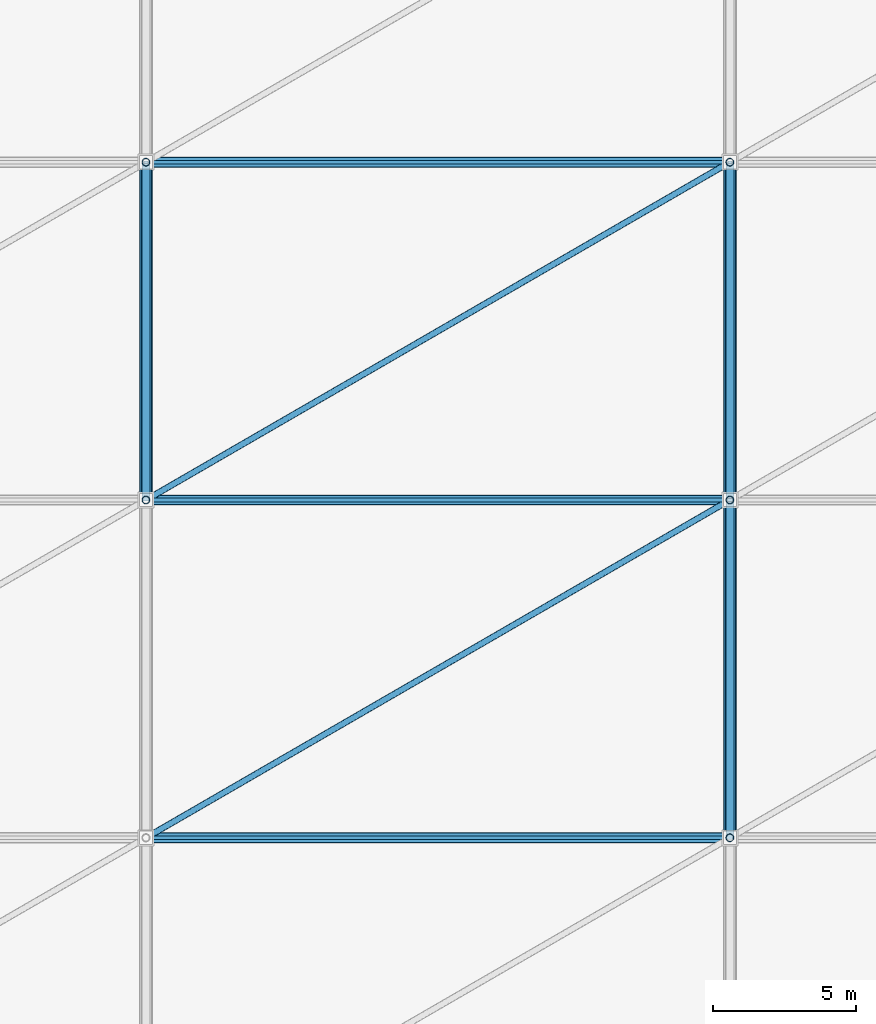
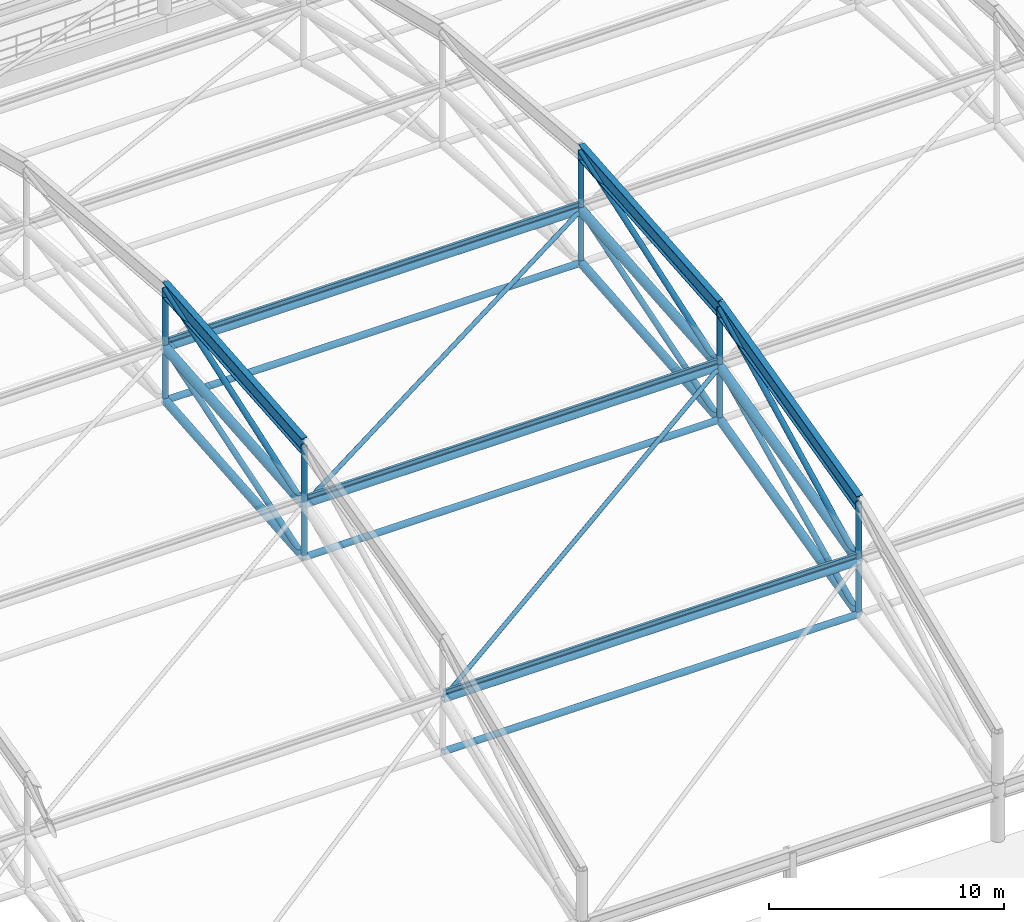
# One storey, part 19 of 135: 33 members, 3 beams.
"""IFC4 building model written with IfcOpenShell, lengths in metres."""

from ifc_helpers import new_model, si_unit, direction, frame, origin, origin_2d, place, context, subcontext, project, spatial, hollow_circle, i_section, extrude, material, material_profile, profile_set, type_object, element, save


model = new_model("IFC4")

# Units and contexts
model_context = context("Model", 3, precision=1e-05, world=origin(), true_north=direction((0.0, 1.0)))
body_context = subcontext(model_context, "Body", "Model", "MODEL_VIEW")
ifc_project = project(units=[si_unit("LENGTHUNIT", "METRE"), si_unit("AREAUNIT", "SQUARE_METRE"), si_unit("VOLUMEUNIT", "CUBIC_METRE"), si_unit("PLANEANGLEUNIT", "RADIAN"), si_unit("MASSUNIT", "GRAM", prefix="KILO")], contexts=[model_context])

# Site, building, storey
site_placement = place(None, origin())
site = spatial("IfcSite", under=ifc_project, at=site_placement, CompositionType="ELEMENT")
building_placement = place(site_placement, origin())
building = spatial("IfcBuilding", under=site, at=building_placement, Name="Brelvane Convention Centre", CompositionType="ELEMENT")
storey_placement = place(building_placement, frame((0.0, 0.0, 15.0)))
storey = spatial("IfcBuildingStorey", under=building, at=storey_placement, Name="L03", CompositionType="ELEMENT", Elevation=15.0)

# Beams
ifc_material_1 = material(Name="Steel E450 (450 MPa)", Category="steel")
ifc_material_profile_1 = material_profile(ifc_material_1, i_section(OverallWidth=0.300048828125, OverallDepth=0.800048828125, WebThickness=0.015380859375, FlangeThickness=0.030029296875, FilletRadius=0.027099609375, at=origin_2d()), Name="NPB 800x300")
ifc_profile_set_1 = profile_set([ifc_material_profile_1], Name="Steel E450 (450 MPa)")
beam_type = type_object("IfcBeamType", Name="Steel Beam B-ST2 (NPB 800x300)", PredefinedType="BEAM", material=ifc_profile_set_1)
beam_1_placement = place(storey_placement, frame((40.800048828125, 52.39990234375, 13.22216796875), z_axis=(0.0, 0.996584470208, 0.082579620615), x_axis=(-1.0, 0.0, 0.0)))
element("IfcBeam", 1, at=beam_1_placement, inside=storey, type_object=beam_type, Name="EXO_EXH Exoskeletal Arch Girder 3.3", PredefinedType="BEAM", context=body_context, shape_type="SweptSolid", body=[
    extrude(i_section(OverallWidth=0.300048828125, OverallDepth=0.800048828125, WebThickness=0.015380859375, FlangeThickness=0.030029296875, FilletRadius=0.027099609375, at=origin_2d()), origin(), (0.0, 0.0, 1.0), 11.840576171875),
])
beam_2_placement = place(storey_placement, frame((61.199951171875, 40.60009765625, 10.288818359375), z_axis=(0.0, 0.970462914592, 0.241250350054), x_axis=(-1.0, 0.0, 0.0)))
element("IfcBeam", 2, at=beam_2_placement, inside=storey, type_object=beam_type, Name="EXO_EXH Exoskeletal Arch Girder 4.2", PredefinedType="BEAM", context=body_context, shape_type="SweptSolid", body=[
    extrude(i_section(OverallWidth=0.300048828125, OverallDepth=0.800048828125, WebThickness=0.015380859375, FlangeThickness=0.030029296875, FilletRadius=0.027099609375, at=origin_2d()), origin(), (0.0, 0.0, 1.0), 12.158935546875),
])
beam_3_placement = place(storey_placement, frame((61.199951171875, 52.39990234375, 13.22216796875), z_axis=(0.0, 0.996584470208, 0.082579620615), x_axis=(-1.0, 0.0, 0.0)))
element("IfcBeam", 3, at=beam_3_placement, inside=storey, type_object=beam_type, Name="EXO_EXH Exoskeletal Arch Girder 4.3", PredefinedType="BEAM", context=body_context, shape_type="SweptSolid", body=[
    extrude(i_section(OverallWidth=0.300048828125, OverallDepth=0.800048828125, WebThickness=0.015380859375, FlangeThickness=0.030029296875, FilletRadius=0.027099609375, at=origin_2d()), origin(), (0.0, 0.0, 1.0), 11.840576171875),
])

# Members
ifc_material_2 = material(Name="Steel E350 (350 MPa)", Category="steel")
ifc_material_profile_2 = material_profile(ifc_material_2, hollow_circle(Radius=0.136474609375, WallThickness=0.012451171875, at=origin_2d()), Name="CHS 273.0x12.5")
ifc_profile_set_2 = profile_set([ifc_material_profile_2], Name="Steel E350 (350 MPa)")
member_type_1 = type_object("IfcMemberType", Name="Steel Brace SF-DG1 (CHS 273.0x12.5)", PredefinedType="BRACE", material=ifc_profile_set_2)
member_1_placement = place(storey_placement, frame((40.800048828125, 52.39990234375, 7.422119140625), z_axis=(0.0, 0.953781085444, 0.30050231455), x_axis=(-1.0, 0.0, 0.0)))
element("IfcMember", 4, at=member_1_placement, inside=storey, type_object=member_type_1, Name="SF_EXH Space-Frame Web Diagonal D3.3", PredefinedType="BRACE", context=body_context, shape_type="SweptSolid", body=[
    extrude(hollow_circle(Radius=0.136474609375, WallThickness=0.012451171875, at=origin_2d()), origin(), (0.0, 0.0, 1.0), 12.371826171875),
])
member_2_placement = place(storey_placement, frame((61.199951171875, 40.60009765625, 4.489013671875), z_axis=(0.0, 0.901249063661, 0.433301425397), x_axis=(-1.0, 0.0, 0.0)))
element("IfcMember", 5, at=member_2_placement, inside=storey, type_object=member_type_1, Name="SF_EXH Space-Frame Web Diagonal D4.2", PredefinedType="BRACE", context=body_context, shape_type="SweptSolid", body=[
    extrude(hollow_circle(Radius=0.136474609375, WallThickness=0.012451171875, at=origin_2d()), origin(), (0.0, 0.0, 1.0), 13.0927734375),
])
member_3_placement = place(storey_placement, frame((61.199951171875, 52.39990234375, 7.422119140625), z_axis=(0.0, 0.953781085444, 0.30050231455), x_axis=(-1.0, 0.0, 0.0)))
element("IfcMember", 6, at=member_3_placement, inside=storey, type_object=member_type_1, Name="SF_EXH Space-Frame Web Diagonal D4.3", PredefinedType="BRACE", context=body_context, shape_type="SweptSolid", body=[
    extrude(hollow_circle(Radius=0.136474609375, WallThickness=0.012451171875, at=origin_2d()), origin(), (0.0, 0.0, 1.0), 12.371826171875),
])
member_4_placement = place(storey_placement, frame((40.800048828125, 52.39990234375, 10.162109375), z_axis=(0.0, 0.946139843727, 0.323758237134), x_axis=(-1.0, 0.0, 0.0)))
element("IfcMember", 7, at=member_4_placement, inside=storey, type_object=member_type_1, Name="EXO_EXH Exoskeletal Arch Web 3.3", PredefinedType="BRACE", context=body_context, shape_type="SweptSolid", body=[
    extrude(hollow_circle(Radius=0.136474609375, WallThickness=0.012451171875, at=origin_2d()), origin(), (0.0, 0.0, 1.0), 12.4716796875),
])
member_5_placement = place(storey_placement, frame((61.199951171875, 40.60009765625, 7.22900390625), z_axis=(0.0, 0.891590690557, 0.45284218058), x_axis=(-1.0, 0.0, 0.0)))
element("IfcMember", 8, at=member_5_placement, inside=storey, type_object=member_type_1, Name="EXO_EXH Exoskeletal Arch Web 4.2", PredefinedType="BRACE", context=body_context, shape_type="SweptSolid", body=[
    extrude(hollow_circle(Radius=0.136474609375, WallThickness=0.012451171875, at=origin_2d()), origin(), (0.0, 0.0, 1.0), 13.234619140625),
])
member_6_placement = place(storey_placement, frame((61.199951171875, 52.39990234375, 10.162109375), z_axis=(0.0, 0.946139843727, 0.323758237134), x_axis=(-1.0, 0.0, 0.0)))
element("IfcMember", 9, at=member_6_placement, inside=storey, type_object=member_type_1, Name="EXO_EXH Exoskeletal Arch Web 4.3", PredefinedType="BRACE", context=body_context, shape_type="SweptSolid", body=[
    extrude(hollow_circle(Radius=0.136474609375, WallThickness=0.012451171875, at=origin_2d()), origin(), (0.0, 0.0, 1.0), 12.4716796875),
])
ifc_material_3 = material(Name="Steel E350 (350 MPa)", Category="steel")
ifc_material_profile_3 = material_profile(ifc_material_3, hollow_circle(Radius=0.109619140625, WallThickness=0.010009765625, at=origin_2d()), Name="CHS 219.1x10.0")
ifc_profile_set_3 = profile_set([ifc_material_profile_3], Name="Steel E350 (350 MPa)")
member_type_2 = type_object("IfcMemberType", Name="Steel Brace SF-DG2 (CHS 219.1x10.0)", PredefinedType="BRACE", material=ifc_profile_set_3)
member_7_placement = place(storey_placement, frame((40.800048828125, 40.60009765625, 7.22900390625), z_axis=(0.858995025138, 0.496863825785, 0.123506620934), x_axis=(-0.500697290317, 0.865622448571, 0.0)))
element("IfcMember", 10, at=member_7_placement, inside=storey, type_object=member_type_2, Name="SF_EXH Roof Diaphragm Brace PB3.2", PredefinedType="BRACE", context=body_context, shape_type="SweptSolid", body=[
    extrude(hollow_circle(Radius=0.109619140625, WallThickness=0.010009765625, at=origin_2d()), origin(), (0.0, 0.0, 1.0), 23.74853515625),
])
member_8_placement = place(storey_placement, frame((40.800048828125, 52.39990234375, 10.162109375), z_axis=(0.864873882245, 0.500274651745, 0.041454078585), x_axis=(-0.500705052683, 0.865617958581, 0.0)))
element("IfcMember", 11, at=member_8_placement, inside=storey, type_object=member_type_2, Name="SF_EXH Roof Diaphragm Brace PB3.3", PredefinedType="BRACE", context=body_context, shape_type="SweptSolid", body=[
    extrude(hollow_circle(Radius=0.109619140625, WallThickness=0.010009765625, at=origin_2d()), origin(), (0.0, 0.0, 1.0), 23.587158203125),
])
ifc_material_4 = material(Name="Steel E450 (450 MPa)", Category="steel")
ifc_material_profile_4 = material_profile(ifc_material_4, hollow_circle(Radius=0.203125, WallThickness=0.01611328125, at=origin_2d()), Name="CHS 406.4x16.0")
ifc_profile_set_4 = profile_set([ifc_material_profile_4], Name="Steel E450 (450 MPa)")
member_type_3 = type_object("IfcMemberType", Name="Steel Chord SF-BC1 (CHS 406.4x16.0)", PredefinedType="CHORD", material=ifc_profile_set_4)
member_9_placement = place(storey_placement, frame((40.800048828125, 52.39990234375, 7.422119140625), z_axis=(0.0, 0.996584470208, 0.082579620615), x_axis=(-1.0, 0.0, 0.0)))
element("IfcMember", 12, at=member_9_placement, inside=storey, type_object=member_type_3, Name="SF_EXH Space-Frame Bottom Chord B3.3", PredefinedType="CHORD", context=body_context, shape_type="SweptSolid", body=[
    extrude(hollow_circle(Radius=0.203125, WallThickness=0.01611328125, at=origin_2d()), origin(), (0.0, 0.0, 1.0), 11.840576171875),
])
member_10_placement = place(storey_placement, frame((61.199951171875, 40.60009765625, 4.489013671875), z_axis=(0.0, 0.97046761544, 0.241231439458), x_axis=(-1.0, 0.0, 0.0)))
element("IfcMember", 13, at=member_10_placement, inside=storey, type_object=member_type_3, Name="SF_EXH Space-Frame Bottom Chord B4.2", PredefinedType="CHORD", context=body_context, shape_type="SweptSolid", body=[
    extrude(hollow_circle(Radius=0.203125, WallThickness=0.01611328125, at=origin_2d()), origin(), (0.0, 0.0, 1.0), 12.158935546875),
])
member_11_placement = place(storey_placement, frame((61.199951171875, 52.39990234375, 7.422119140625), z_axis=(0.0, 0.996584470208, 0.082579620615), x_axis=(-1.0, 0.0, 0.0)))
element("IfcMember", 14, at=member_11_placement, inside=storey, type_object=member_type_3, Name="SF_EXH Space-Frame Bottom Chord B4.3", PredefinedType="CHORD", context=body_context, shape_type="SweptSolid", body=[
    extrude(hollow_circle(Radius=0.203125, WallThickness=0.01611328125, at=origin_2d()), origin(), (0.0, 0.0, 1.0), 11.840576171875),
])
ifc_material_5 = material(Name="Steel E350 (350 MPa)", Category="steel")
ifc_material_profile_5 = material_profile(ifc_material_5, hollow_circle(Radius=0.161865234375, WallThickness=0.012451171875, at=origin_2d()), Name="CHS 323.9x12.5")
ifc_profile_set_5 = profile_set([ifc_material_profile_5], Name="Steel E350 (350 MPa)")
member_type_4 = type_object("IfcMemberType", Name="Steel Chord SF-BC2 (CHS 323.9x12.5)", PredefinedType="CHORD", material=ifc_profile_set_5)
for number, where, z_axis, x_axis, name in (
    (15, (40.800048828125, 40.60009765625, 4.489013671875), (1.0, 0.0, 0.0), (0.0, 1.0, 0.0), "SF_EXH Longitudinal Bottom Chord LB3.2"),
    (16, (40.800048828125, 52.39990234375, 7.422119140625), (1.0, 0.0, 0.0), (0.0, 1.0, 0.0), "SF_EXH Longitudinal Bottom Chord LB3.3"),
    (17, (40.800048828125, 64.199951171875, 8.39990234375), (1.0, 0.0, 0.0), (0.0, 1.0, 0.0), "SF_EXH Longitudinal Bottom Chord LB3.4"),
):
    element("IfcMember", number, at=place(storey_placement, frame(where, z_axis=z_axis, x_axis=x_axis)), inside=storey, type_object=member_type_4, Name=name, PredefinedType="CHORD", context=body_context, shape_type="SweptSolid", body=[
        extrude(hollow_circle(Radius=0.161865234375, WallThickness=0.012451171875, at=origin_2d()), origin(), (0.0, 0.0, 1.0), 20.39990234375),
    ])
ifc_material_6 = material(Name="Steel E450 (450 MPa)", Category="steel")
ifc_material_profile_6 = material_profile(ifc_material_6, hollow_circle(Radius=0.228515625, WallThickness=0.02001953125, at=origin_2d()), Name="CHS 457.0x20.0")
ifc_profile_set_6 = profile_set([ifc_material_profile_6], Name="Steel E450 (450 MPa)")
member_type_5 = type_object("IfcMemberType", Name="Steel Chord SF-TC1 (CHS 457.0x20.0)", PredefinedType="CHORD", material=ifc_profile_set_6)
member_12_placement = place(storey_placement, frame((40.800048828125, 52.39990234375, 10.162109375), z_axis=(0.0, 0.996584470208, 0.082579620615), x_axis=(-1.0, 0.0, 0.0)))
element("IfcMember", 18, at=member_12_placement, inside=storey, type_object=member_type_5, Name="SF_EXH Space-Frame Top Chord T3.3", PredefinedType="CHORD", context=body_context, shape_type="SweptSolid", body=[
    extrude(hollow_circle(Radius=0.228515625, WallThickness=0.02001953125, at=origin_2d()), origin(), (0.0, 0.0, 1.0), 11.840576171875),
])
member_13_placement = place(storey_placement, frame((61.199951171875, 40.60009765625, 7.22900390625), z_axis=(0.0, 0.97046761544, 0.241231439458), x_axis=(-1.0, 0.0, 0.0)))
element("IfcMember", 19, at=member_13_placement, inside=storey, type_object=member_type_5, Name="SF_EXH Space-Frame Top Chord T4.2", PredefinedType="CHORD", context=body_context, shape_type="SweptSolid", body=[
    extrude(hollow_circle(Radius=0.228515625, WallThickness=0.02001953125, at=origin_2d()), origin(), (0.0, 0.0, 1.0), 12.158935546875),
])
member_14_placement = place(storey_placement, frame((61.199951171875, 52.39990234375, 10.162109375), z_axis=(0.0, 0.996584470208, 0.082579620615), x_axis=(-1.0, 0.0, 0.0)))
element("IfcMember", 20, at=member_14_placement, inside=storey, type_object=member_type_5, Name="SF_EXH Space-Frame Top Chord T4.3", PredefinedType="CHORD", context=body_context, shape_type="SweptSolid", body=[
    extrude(hollow_circle(Radius=0.228515625, WallThickness=0.02001953125, at=origin_2d()), origin(), (0.0, 0.0, 1.0), 11.840576171875),
])
ifc_material_7 = material(Name="Steel E450 (450 MPa)", Category="steel")
ifc_material_profile_7 = material_profile(ifc_material_7, hollow_circle(Radius=0.177734375, WallThickness=0.01611328125, at=origin_2d()), Name="CHS 355.6x16.0")
ifc_profile_set_7 = profile_set([ifc_material_profile_7], Name="Steel E450 (450 MPa)")
member_type_6 = type_object("IfcMemberType", Name="Steel Chord SF-TC2 (CHS 355.6x16.0)", PredefinedType="CHORD", material=ifc_profile_set_7)
for number, where, z_axis, x_axis, name in (
    (21, (40.800048828125, 40.60009765625, 7.22900390625), (1.0, 0.0, 0.0), (0.0, 1.0, 0.0), "SF_EXH Longitudinal Top Chord LT3.2"),
    (22, (40.800048828125, 52.39990234375, 10.162109375), (1.0, 0.0, 0.0), (0.0, 1.0, 0.0), "SF_EXH Longitudinal Top Chord LT3.3"),
    (23, (40.800048828125, 64.199951171875, 11.139892578125), (1.0, 0.0, 0.0), (0.0, 1.0, 0.0), "SF_EXH Longitudinal Top Chord LT3.4"),
):
    element("IfcMember", number, at=place(storey_placement, frame(where, z_axis=z_axis, x_axis=x_axis)), inside=storey, type_object=member_type_6, Name=name, PredefinedType="CHORD", context=body_context, shape_type="SweptSolid", body=[
        extrude(hollow_circle(Radius=0.177734375, WallThickness=0.01611328125, at=origin_2d()), origin(), (0.0, 0.0, 1.0), 20.39990234375),
    ])
ifc_material_8 = material(Name="Steel E350 (350 MPa)", Category="steel")
ifc_material_profile_8 = material_profile(ifc_material_8, i_section(OverallWidth=0.125, OverallDepth=0.25, WebThickness=0.0068359375, FlangeThickness=0.012451171875, FilletRadius=0.012939453125, at=origin_2d()), Name="ISMB 250")
ifc_profile_set_8 = profile_set([ifc_material_profile_8], Name="Steel E350 (350 MPa)")
member_type_7 = type_object("IfcMemberType", Name="Steel Purlin PR-ST1 (ISMB 250)", PredefinedType="PURLIN", material=ifc_profile_set_8)
for number, where, z_axis, x_axis, name in (
    (24, (40.800048828125, 40.60009765625, 7.56396484375), (1.0, 0.0, 0.0), (0.0, 1.0, 0.0), "SF_EXH Roof Purlin P3.2"),
    (25, (40.800048828125, 52.39990234375, 10.497314453125), (1.0, 0.0, 0.0), (0.0, 1.0, 0.0), "SF_EXH Roof Purlin P3.3"),
    (26, (40.800048828125, 64.199951171875, 11.47509765625), (1.0, 0.0, 0.0), (0.0, 1.0, 0.0), "SF_EXH Roof Purlin P3.4"),
):
    element("IfcMember", number, at=place(storey_placement, frame(where, z_axis=z_axis, x_axis=x_axis)), inside=storey, type_object=member_type_7, Name=name, PredefinedType="PURLIN", context=body_context, shape_type="SweptSolid", body=[
        extrude(i_section(OverallWidth=0.125, OverallDepth=0.25, WebThickness=0.0068359375, FlangeThickness=0.012451171875, FilletRadius=0.012939453125, at=origin_2d()), origin(), (0.0, 0.0, 1.0), 20.39990234375),
    ])
ifc_material_9 = material(Name="Steel E350 (350 MPa)", Category="steel")
ifc_material_profile_9 = material_profile(ifc_material_9, hollow_circle(Radius=0.136474609375, WallThickness=0.012451171875, at=origin_2d()), Name="CHS 273.0x12.5")
ifc_profile_set_9 = profile_set([ifc_material_profile_9], Name="Steel E350 (350 MPa)")
member_type_8 = type_object("IfcMemberType", Name="Steel Strut SF-VT1 (CHS 273.0x12.5)", PredefinedType="STRUT", material=ifc_profile_set_9)
for number, where, z_axis, x_axis, name in (
    (27, (40.800048828125, 52.39990234375, 7.422119140625), (0.0, 0.0, 1.0), (1.0, 0.0, 0.0), "SF_EXH Space-Frame Post V3.2"),
    (28, (40.800048828125, 64.199951171875, 8.39990234375), (0.0, 0.0, 1.0), (1.0, 0.0, 0.0), "SF_EXH Space-Frame Post V3.3"),
    (29, (61.199951171875, 40.60009765625, 4.489013671875), (0.0, 0.0, 1.0), (1.0, 0.0, 0.0), "SF_EXH Space-Frame Post V4.1"),
    (30, (61.199951171875, 52.39990234375, 7.422119140625), (0.0, 0.0, 1.0), (1.0, 0.0, 0.0), "SF_EXH Space-Frame Post V4.2"),
    (31, (61.199951171875, 64.199951171875, 8.39990234375), (0.0, 0.0, 1.0), (1.0, 0.0, 0.0), "SF_EXH Space-Frame Post V4.3"),
):
    element("IfcMember", number, at=place(storey_placement, frame(where, z_axis=z_axis, x_axis=x_axis)), inside=storey, type_object=member_type_8, Name=name, PredefinedType="STRUT", context=body_context, shape_type="SweptSolid", body=[
        extrude(hollow_circle(Radius=0.136474609375, WallThickness=0.012451171875, at=origin_2d()), origin(), (0.0, 0.0, 1.0), 2.739990234375),
    ])
for number, where, z_axis, x_axis, name in (
    (32, (40.800048828125, 52.39990234375, 10.162109375), (0.0, 0.0, 1.0), (1.0, 0.0, 0.0), "EXO_EXH Roof Suspension Hanger 3.2"),
    (33, (40.800048828125, 64.199951171875, 11.139892578125), (0.0, 0.0, 1.0), (1.0, 0.0, 0.0), "EXO_EXH Roof Suspension Hanger 3.3"),
):
    element("IfcMember", number, at=place(storey_placement, frame(where, z_axis=z_axis, x_axis=x_axis)), inside=storey, type_object=member_type_8, Name=name, PredefinedType="STRUT", context=body_context, shape_type="SweptSolid", body=[
        extrude(hollow_circle(Radius=0.136474609375, WallThickness=0.012451171875, at=origin_2d()), origin(), (0.0, 0.0, 1.0), 3.06005859375),
    ])
member_15_placement = place(storey_placement, frame((61.199951171875, 40.60009765625, 7.22900390625), z_axis=(0.0, 0.0, 1.0), x_axis=(1.0, 0.0, 0.0)))
element("IfcMember", 34, at=member_15_placement, inside=storey, type_object=member_type_8, Name="EXO_EXH Roof Suspension Hanger 4.1", PredefinedType="STRUT", context=body_context, shape_type="SweptSolid", body=[
    extrude(hollow_circle(Radius=0.136474609375, WallThickness=0.012451171875, at=origin_2d()), origin(), (0.0, 0.0, 1.0), 3.059814453125),
])
for number, where, z_axis, x_axis, name in (
    (35, (61.199951171875, 52.39990234375, 10.162109375), (0.0, 0.0, 1.0), (1.0, 0.0, 0.0), "EXO_EXH Roof Suspension Hanger 4.2"),
    (36, (61.199951171875, 64.199951171875, 11.139892578125), (0.0, 0.0, 1.0), (1.0, 0.0, 0.0), "EXO_EXH Roof Suspension Hanger 4.3"),
):
    element("IfcMember", number, at=place(storey_placement, frame(where, z_axis=z_axis, x_axis=x_axis)), inside=storey, type_object=member_type_8, Name=name, PredefinedType="STRUT", context=body_context, shape_type="SweptSolid", body=[
        extrude(hollow_circle(Radius=0.136474609375, WallThickness=0.012451171875, at=origin_2d()), origin(), (0.0, 0.0, 1.0), 3.06005859375),
    ])

save(model, "model.ifc")
